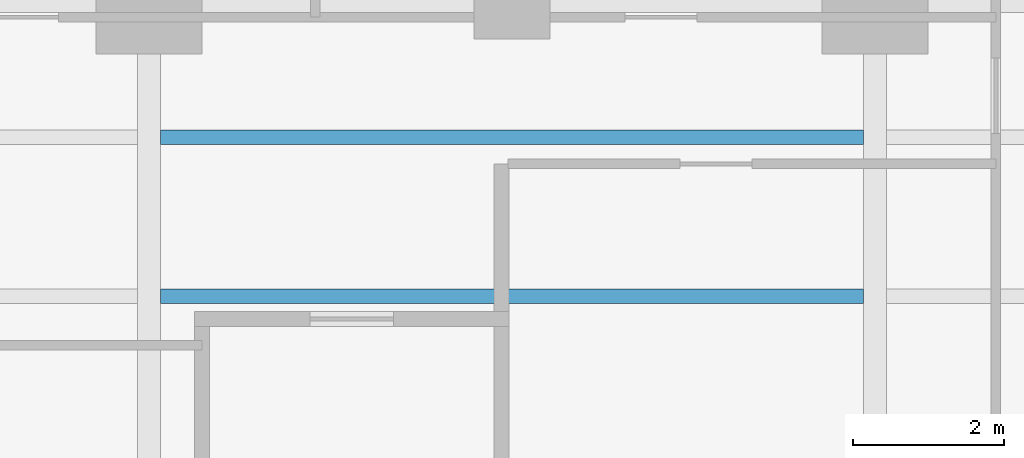
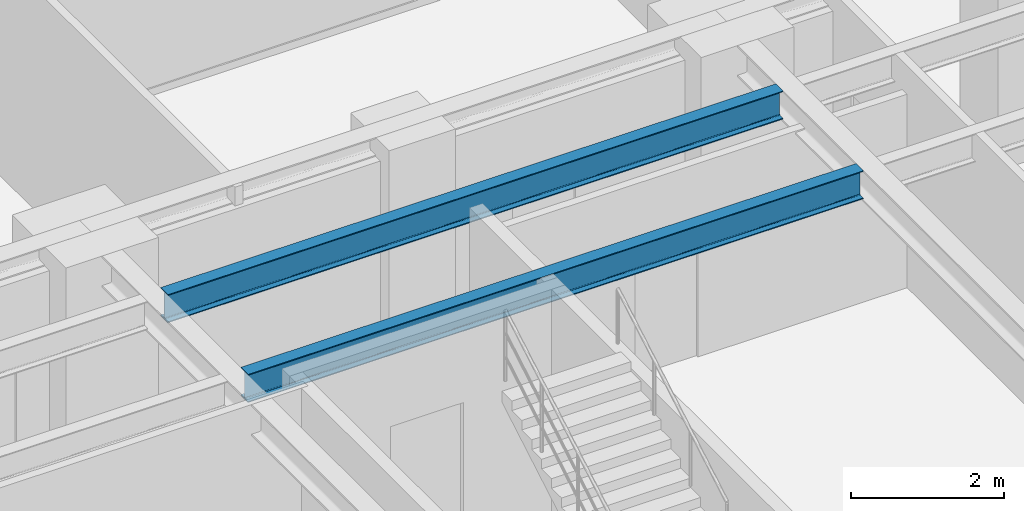
# One storey, part 5 of 26: 2 beams.
"""IFC4 building model written with IfcOpenShell, lengths in metres."""

from ifc_helpers import new_model, si_unit, direction, frame, origin, origin_2d, place, context, subcontext, project, spatial, i_section, extrude, material, material_profile, profile_set, type_object, element, save


model = new_model("IFC4")

# Units and contexts
model_context = context("Model", 3, precision=1e-05, world=origin(), true_north=direction((0.0, 1.0)))
body_context = subcontext(model_context, "Body", "Model", "MODEL_VIEW")
ifc_project = project(units=[si_unit("LENGTHUNIT", "METRE"), si_unit("AREAUNIT", "SQUARE_METRE"), si_unit("VOLUMEUNIT", "CUBIC_METRE"), si_unit("PLANEANGLEUNIT", "RADIAN"), si_unit("MASSUNIT", "GRAM", prefix="KILO")], contexts=[model_context])

# Site, building, storey
site_placement = place(None, origin())
site = spatial("IfcSite", under=ifc_project, at=site_placement, CompositionType="ELEMENT")
building_placement = place(site_placement, origin())
building = spatial("IfcBuilding", under=site, at=building_placement, Name="Kolvaren Waterfront Exchange", CompositionType="ELEMENT")
storey_placement = place(building_placement, frame((0.0, 0.0, 87.89990234375)))
storey = spatial("IfcBuildingStorey", under=building, at=storey_placement, Name="L22", CompositionType="ELEMENT", Elevation=87.89990234375)

# Beams
ifc_material = material(Name="Steel S355", Category="steel")
ifc_material_profile = material_profile(ifc_material, i_section(OverallWidth=0.18994140625, OverallDepth=0.449951171875, WebThickness=0.009521484375, FlangeThickness=0.0146484375, FilletRadius=0.02099609375, at=origin_2d()), Name="IPE450")
ifc_profile_set = profile_set([ifc_material_profile], Name="Steel S355")
beam_type = type_object("IfcBeamType", Name="STR-BM-IPE450", PredefinedType="JOIST", material=ifc_profile_set)
for number, where, z_axis, x_axis, name in (
    (1, (27.35205078125, 13.5, 3.315185546875), (1.0, 0.0, 0.0), (0.0, 1.0, 0.0), "L22 east-arm composite joist 2A"),
    (2, (27.35205078125, 15.60009765625, 3.315185546875), (1.0, 0.0, 0.0), (0.0, 1.0, 0.0), "L22 east-arm composite joist 2C"),
):
    element("IfcBeam", number, at=place(storey_placement, frame(where, z_axis=z_axis, x_axis=x_axis)), inside=storey, type_object=beam_type, Name=name, PredefinedType="JOIST", context=body_context, shape_type="SweptSolid", body=[
        extrude(i_section(OverallWidth=0.18994140625, OverallDepth=0.449951171875, WebThickness=0.009521484375, FlangeThickness=0.0146484375, FilletRadius=0.02099609375, at=origin_2d()), origin(), (0.0, 0.0, 1.0), 9.2958984375),
    ])

save(model, "model.ifc")
